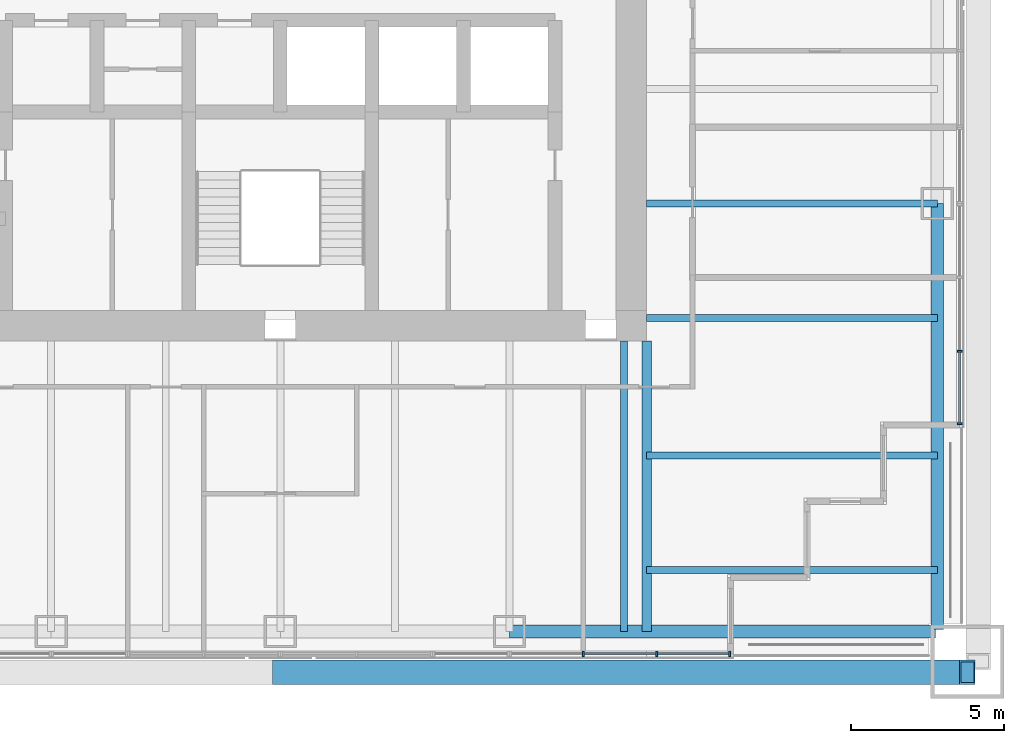
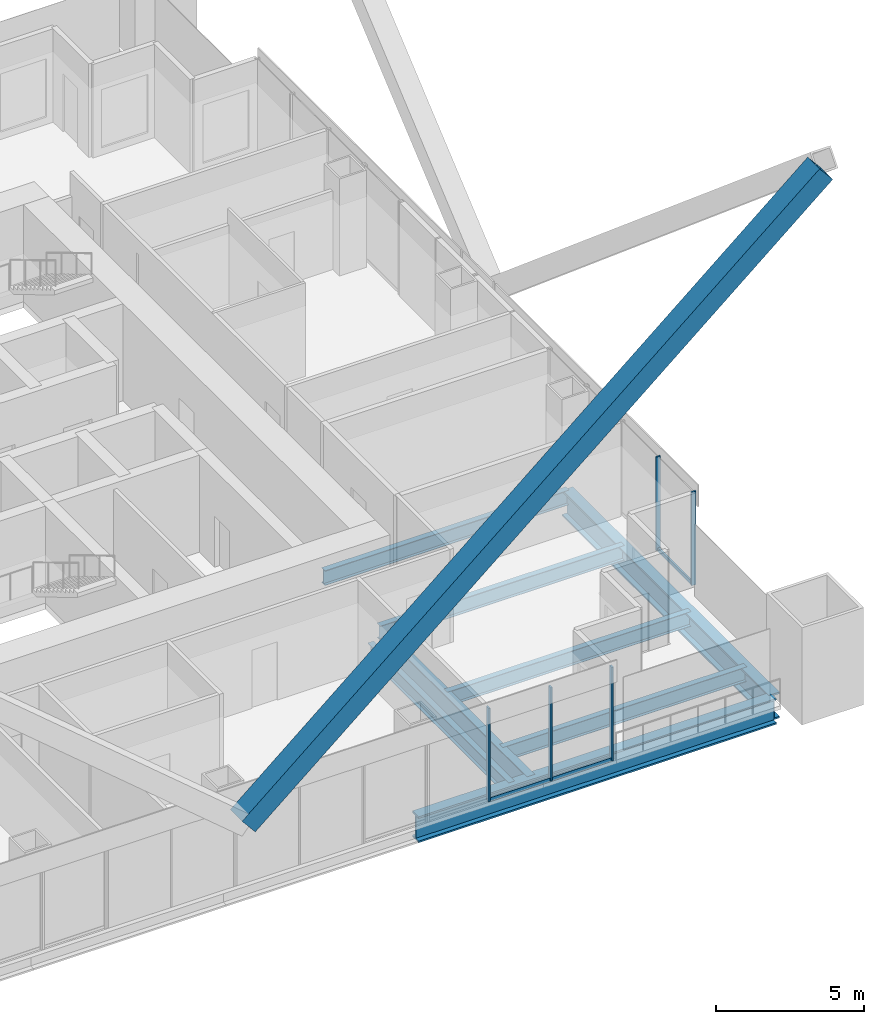
# One storey, part 6 of 19: 9 members, 8 beams, 2 elements without a shape of their own.
"""IFC4 building model written with IfcOpenShell, lengths in metres."""

from ifc_helpers import new_model, si_unit, direction, frame, origin, origin_2d, place, context, subcontext, project, spatial, rectangle, hollow_rectangle, i_section, extrude, material, material_profile, profile_set, type_object, element, aggregate, save


model = new_model("IFC4")

# Units and contexts
model_context = context("Model", 3, precision=1e-05, world=origin(), true_north=direction((0.0, 1.0)))
body_context = subcontext(model_context, "Body", "Model", "MODEL_VIEW")
ifc_project = project(units=[si_unit("LENGTHUNIT", "METRE"), si_unit("AREAUNIT", "SQUARE_METRE"), si_unit("VOLUMEUNIT", "CUBIC_METRE"), si_unit("PLANEANGLEUNIT", "RADIAN"), si_unit("MASSUNIT", "GRAM", prefix="KILO")], contexts=[model_context])

# Site, building, storey
site_placement = place(None, origin())
site = spatial("IfcSite", under=ifc_project, at=site_placement, CompositionType="ELEMENT")
building_placement = place(site_placement, origin())
building = spatial("IfcBuilding", under=site, at=building_placement, Name="Tarangal Relay Tower", CompositionType="ELEMENT")
storey_placement = place(building_placement, frame((0.0, 0.0, 193.89990234375)))
storey = spatial("IfcBuildingStorey", under=building, at=storey_placement, Name="L40", CompositionType="ELEMENT", Elevation=193.89990234375)

# Beams
ifc_material_1 = material(Name="Steel ASTM A992", Category="steel")
ifc_material_profile_1 = material_profile(ifc_material_1, i_section(OverallWidth=0.227783203125, OverallDepth=0.60205078125, WebThickness=0.010498046875, FlangeThickness=0.014892578125, at=origin_2d()), Name="W24X68")
ifc_profile_set_1 = profile_set([ifc_material_profile_1], Name="Steel ASTM A992")
beam_type_1 = type_object("IfcBeamType", Name="Corner beam W24X68", PredefinedType="JOIST", material=ifc_profile_set_1)
for number, where, z_axis, x_axis, name in (
    (1, (12.0, -15.75, -0.450927734375), (1.0, 0.0, 0.0), (0.0, 1.0, 0.0), "Corner beam CB11 E L40"),
    (2, (12.0, -19.5, -0.450927734375), (1.0, 0.0, 0.0), (0.0, 1.0, 0.0), "Corner beam CB11 E L40"),
):
    element("IfcBeam", number, at=place(storey_placement, frame(where, z_axis=z_axis, x_axis=x_axis)), inside=storey, type_object=beam_type_1, Name=name, PredefinedType="JOIST", context=body_context, shape_type="SweptSolid", body=[
        extrude(i_section(OverallWidth=0.227783203125, OverallDepth=0.60205078125, WebThickness=0.010498046875, FlangeThickness=0.014892578125, at=origin_2d()), origin(), (0.0, 0.0, 1.0), 9.514892578125),
    ])
ifc_material_profile_2 = material_profile(ifc_material_1, i_section(OverallWidth=0.307373046875, OverallDepth=0.9423828125, WebThickness=0.022216796875, FlangeThickness=0.039794921875, at=origin_2d()), Name="W36X232")
ifc_profile_set_2 = profile_set([ifc_material_profile_2], Name="Steel ASTM A992")
beam_type_2 = type_object("IfcBeamType", Name="Corner girder W36X232", PredefinedType="BEAM", material=ifc_profile_set_2)
beam_placement = place(storey_placement, frame((12.0, -12.0, -0.62109375), z_axis=(0.0, -1.0, 0.0), x_axis=(1.0, 0.0, 0.0)))
element("IfcBeam", 3, at=beam_placement, inside=storey, type_object=beam_type_2, Name="Corner girder CG4 E L40", PredefinedType="BEAM", context=body_context, shape_type="SweptSolid", body=[
    extrude(i_section(OverallWidth=0.307373046875, OverallDepth=0.9423828125, WebThickness=0.022216796875, FlangeThickness=0.039794921875, at=origin_2d()), origin(), (0.0, 0.0, 1.0), 9.514892578125),
])
ifc_material_profile_3 = material_profile(ifc_material_1, i_section(OverallWidth=0.41650390625, OverallDepth=1.0693359375, WebThickness=0.0390625, FlangeThickness=0.070068359375, at=origin_2d()), Name="W40X503")
ifc_profile_set_3 = profile_set([ifc_material_profile_3], Name="Steel ASTM A992")
beam_type_3 = type_object("IfcBeamType", Name="Edge girder W40X503", PredefinedType="SPANDREL", material=ifc_profile_set_3)
for number, where, z_axis, x_axis, name in (
    (4, (21.514892578125, -7.5, -0.6845703125), (0.0, -1.0, 0.0), (1.0, 0.0, 0.0), "Edge girder EG8 E L40"),
    (5, (21.449951171875, -21.514892578125, -0.6845703125), (-1.0, 0.0, 0.0), (0.0, -1.0, 0.0), "Edge girder EG8 S L40"),
):
    element("IfcBeam", number, at=place(storey_placement, frame(where, z_axis=z_axis, x_axis=x_axis)), inside=storey, type_object=beam_type_3, Name=name, PredefinedType="SPANDREL", context=body_context, shape_type="SweptSolid", body=[
        extrude(i_section(OverallWidth=0.41650390625, OverallDepth=1.0693359375, WebThickness=0.0390625, FlangeThickness=0.070068359375, at=origin_2d()), origin(), (0.0, 0.0, 1.0), 13.949951171875),
    ])
ifc_material_profile_4 = material_profile(ifc_material_1, i_section(OverallWidth=0.22900390625, OverallDepth=0.612060546875, WebThickness=0.011962890625, FlangeThickness=0.01953125, at=origin_2d()), Name="W24X84")
ifc_profile_set_4 = profile_set([ifc_material_profile_4], Name="Steel ASTM A992")
beam_type_4 = type_object("IfcBeamType", Name="Floor beam W24X84", PredefinedType="BEAM", material=ifc_profile_set_4)
for number, where, z_axis, x_axis, name in (
    (6, (12.0, -7.5, -0.455810546875), (1.0, 0.0, 0.0), (0.0, 1.0, 0.0), "Floor beam RB12 E L40"),
    (7, (12.0, -11.25, -0.455810546875), (1.0, 0.0, 0.0), (0.0, 1.0, 0.0), "Floor beam RB12 E L40"),
    (8, (11.25, -12.0, -0.455810546875), (0.0, -1.0, 0.0), (1.0, 0.0, 0.0), "Floor beam RB12 S L40"),
):
    element("IfcBeam", number, at=place(storey_placement, frame(where, z_axis=z_axis, x_axis=x_axis)), inside=storey, type_object=beam_type_4, Name=name, PredefinedType="BEAM", context=body_context, shape_type="SweptSolid", body=[
        extrude(i_section(OverallWidth=0.22900390625, OverallDepth=0.612060546875, WebThickness=0.011962890625, FlangeThickness=0.01953125, at=origin_2d()), origin(), (0.0, 0.0, 1.0), 9.514892578125),
    ])

# Member
ifc_material_2 = material(Name="Steel ASTM A572 Grade 50", Category="steel")
ifc_material_profile_5 = material_profile(ifc_material_2, hollow_rectangle(XDim=0.800048828125, YDim=0.800048828125, WallThickness=0.06494140625, at=origin_2d()), Name="BOX800X800X65")
ifc_profile_set_5 = profile_set([ifc_material_profile_5], Name="Steel ASTM A572 Grade 50")
member_type_1 = type_object("IfcMemberType", Name="Mega brace BOX800X800X65", PredefinedType="BRACE", material=ifc_profile_set_5)
member_1_placement = place(storey_placement, frame((0.0, -22.85009765625, 3.0), z_axis=(0.764029915847, 0.0, 0.645180817826), x_axis=(0.0, 1.0, 0.0)))
element("IfcMember", 9, at=member_1_placement, inside=storey, type_object=member_type_1, Name="Mega brace MB3 S face module 1", PredefinedType="BRACE", context=body_context, shape_type="SweptSolid", body=[
    extrude(hollow_rectangle(XDim=0.800048828125, YDim=0.800048828125, WallThickness=0.06494140625, at=origin_2d()), origin(), (0.0, 0.0, 1.0), 29.44921875),
])

# Curtain wall, members
ifc_material_3 = material(Name="Unitised curtain wall, dark glass and black aluminium", Category="aluminium")
curtain_wall_type = type_object("IfcCurtainWallType", Name="Curtain wall CW-A", PredefinedType="USERDEFINED", material=ifc_material_3)
curtain_wall_1_placement = place(storey_placement, origin())
curtain_wall_1 = element("IfcCurtainWall", 10, at=curtain_wall_1_placement, inside=storey, type_object=curtain_wall_type, Name="Curtain wall CW-A E facade L40", ObjectType="UNITISED CURTAIN WALL", PredefinedType="USERDEFINED")
ifc_material_4 = material(Name="Black anodised aluminium mullion", Category="aluminium")
ifc_material_profile_6 = material_profile(ifc_material_4, rectangle(XDim=0.175048828125, YDim=0.06494140625, at=origin_2d()), Name="CW-AM 65X175")
ifc_profile_set_6 = profile_set([ifc_material_profile_6], Name="Black anodised aluminium mullion")
member_type_2 = type_object("IfcMemberType", Name="Mullion CW-A 65 x 175", PredefinedType="MULLION", material=ifc_profile_set_6)
member_2_placement = place(storey_placement, frame((22.25, -12.333251953125, 0.0), z_axis=(0.0, 0.0, 1.0), x_axis=(1.0, 0.0, 0.0)))
member_2 = element("IfcMember", 11, at=member_2_placement, type_object=member_type_2, Name="CW-A mullion 3", PredefinedType="MULLION", context=body_context, shape_type="SweptSolid", body=[
    extrude(rectangle(XDim=0.175048828125, YDim=0.06494140625, at=origin_2d()), origin(), (0.0, 0.0, 1.0), 3.85009765625),
])
member_3_placement = place(storey_placement, frame((22.25, -14.717529296875, 0.0), z_axis=(0.0, 0.0, 1.0), x_axis=(1.0, 0.0, 0.0)))
member_3 = element("IfcMember", 12, at=member_3_placement, type_object=member_type_2, Name="CW-A mullion 4", PredefinedType="MULLION", context=body_context, shape_type="SweptSolid", body=[
    extrude(rectangle(XDim=0.175048828125, YDim=0.06494140625, at=origin_2d()), origin(), (0.0, 0.0, 1.0), 3.85009765625),
])

curtain_wall_2_placement = place(storey_placement, origin())
curtain_wall_2 = element("IfcCurtainWall", 13, at=curtain_wall_2_placement, inside=storey, type_object=curtain_wall_type, Name="Curtain wall CW-A S facade L40", ObjectType="UNITISED CURTAIN WALL", PredefinedType="USERDEFINED")
member_4_placement = place(storey_placement, frame((14.717529296875, -22.25, 0.0), z_axis=(0.0, 0.0, 1.0), x_axis=(0.0, -1.0, 0.0)))
member_4 = element("IfcMember", 14, at=member_4_placement, type_object=member_type_2, Name="CW-A mullion 1", PredefinedType="MULLION", context=body_context, shape_type="SweptSolid", body=[
    extrude(rectangle(XDim=0.175048828125, YDim=0.06494140625, at=origin_2d()), origin(), (0.0, 0.0, 1.0), 3.85009765625),
])
member_5_placement = place(storey_placement, frame((12.333251953125, -22.25, 0.0), z_axis=(0.0, 0.0, 1.0), x_axis=(0.0, -1.0, 0.0)))
member_5 = element("IfcMember", 15, at=member_5_placement, type_object=member_type_2, Name="CW-A mullion 2", PredefinedType="MULLION", context=body_context, shape_type="SweptSolid", body=[
    extrude(rectangle(XDim=0.175048828125, YDim=0.06494140625, at=origin_2d()), origin(), (0.0, 0.0, 1.0), 3.85009765625),
])
member_6_placement = place(storey_placement, frame((9.916748046875, -22.25, 0.0), z_axis=(0.0, 0.0, 1.0), x_axis=(0.0, -1.0, 0.0)))
member_6 = element("IfcMember", 16, at=member_6_placement, type_object=member_type_2, Name="CW-A mullion 3", PredefinedType="MULLION", context=body_context, shape_type="SweptSolid", body=[
    extrude(rectangle(XDim=0.175048828125, YDim=0.06494140625, at=origin_2d()), origin(), (0.0, 0.0, 1.0), 3.85009765625),
])

# Member
ifc_material_5 = material(Name="Black anodised aluminium transom", Category="aluminium")
ifc_material_profile_7 = material_profile(ifc_material_5, rectangle(XDim=0.06494140625, YDim=0.14990234375, at=origin_2d()), Name="CW-AT 65X150")
ifc_profile_set_7 = profile_set([ifc_material_profile_7], Name="Black anodised aluminium transom")
member_type_3 = type_object("IfcMemberType", Name="Transom CW-A 65 x 150", PredefinedType="USERDEFINED", material=ifc_profile_set_7)
member_7_placement = place(storey_placement, frame((22.25, -12.36572265625, 0.03271484375), z_axis=(0.0, -1.0, 0.0), x_axis=(1.0, 0.0, 0.0)))
member_7 = element("IfcMember", 17, at=member_7_placement, type_object=member_type_3, Name="CW-A transom 3.1", ObjectType="TRANSOM", PredefinedType="USERDEFINED", context=body_context, shape_type="SweptSolid", body=[
    extrude(rectangle(XDim=0.06494140625, YDim=0.14990234375, at=origin_2d()), origin(), (0.0, 0.0, 1.0), 2.3193359375),
])

aggregate(curtain_wall_1, [member_2, member_3, member_7])

member_8_placement = place(storey_placement, frame((14.68505859375, -22.25, 0.03271484375), z_axis=(-1.0, 0.0, 0.0), x_axis=(0.0, -1.0, 0.0)))
member_8 = element("IfcMember", 18, at=member_8_placement, type_object=member_type_3, Name="CW-A transom 1.1", ObjectType="TRANSOM", PredefinedType="USERDEFINED", context=body_context, shape_type="SweptSolid", body=[
    extrude(rectangle(XDim=0.06494140625, YDim=0.14990234375, at=origin_2d()), origin(), (0.0, 0.0, 1.0), 2.3193359375),
])

member_9_placement = place(storey_placement, frame((12.30078125, -22.25, 0.03271484375), z_axis=(-1.0, 0.0, 0.0), x_axis=(0.0, -1.0, 0.0)))
member_9 = element("IfcMember", 19, at=member_9_placement, type_object=member_type_3, Name="CW-A transom 2.1", ObjectType="TRANSOM", PredefinedType="USERDEFINED", context=body_context, shape_type="SweptSolid", body=[
    extrude(rectangle(XDim=0.06494140625, YDim=0.14990234375, at=origin_2d()), origin(), (0.0, 0.0, 1.0), 2.3515625),
])

aggregate(curtain_wall_2, [member_4, member_5, member_6, member_8, member_9])

save(model, "model.ifc")
